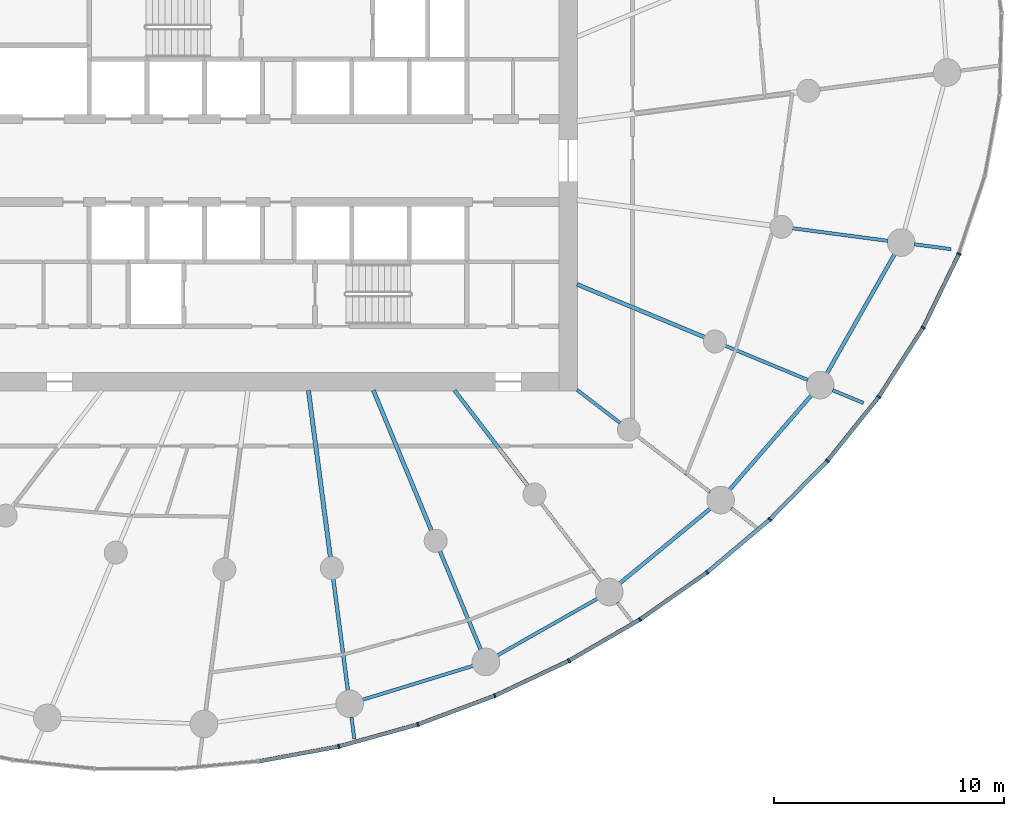
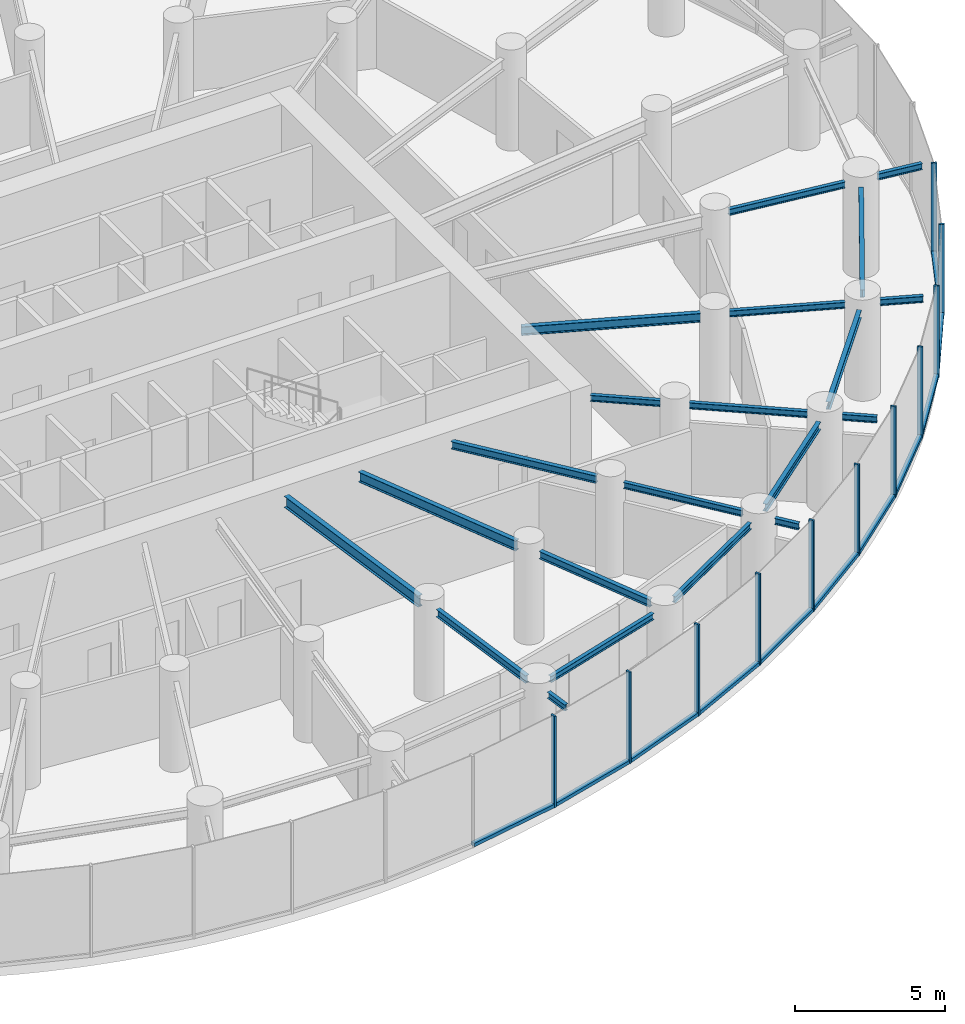
# One storey, part 4 of 17: 22 members, 21 beams, 3 elements without a shape of their own.
"""IFC4 building model written with IfcOpenShell, lengths in metres."""

from ifc_helpers import new_model, si_unit, direction, frame, origin, origin_2d, place, context, subcontext, project, spatial, rectangle, i_section, extrude, source, transform, mapped, material, layer, layer_set, material_profile, profile_set, type_object, element, aggregate, save


model = new_model("IFC4")

# Units and contexts
model_context = context("Model", 3, precision=1e-05, world=origin(), true_north=direction((0.0, 1.0)))
body_context = subcontext(model_context, "Body", "Model", "MODEL_VIEW")
ifc_project = project(units=[si_unit("LENGTHUNIT", "METRE"), si_unit("AREAUNIT", "SQUARE_METRE"), si_unit("VOLUMEUNIT", "CUBIC_METRE"), si_unit("PLANEANGLEUNIT", "RADIAN"), si_unit("MASSUNIT", "GRAM", prefix="KILO")], contexts=[model_context])

# Site, building, storey
site_placement = place(None, origin())
site = spatial("IfcSite", under=ifc_project, at=site_placement, CompositionType="ELEMENT")
building_placement = place(site_placement, origin())
building = spatial("IfcBuilding", under=site, at=building_placement, Name="Spindrift Exchange Tower", CompositionType="ELEMENT")
storey_placement = place(building_placement, frame((0.0, 0.0, 92.10009765625)))
storey = spatial("IfcBuildingStorey", under=building, at=storey_placement, Name="L21", CompositionType="ELEMENT", Elevation=92.10009765625)

# Beams
ifc_material_1 = material(Name="Steel Grade 300", Category="steel")
ifc_material_profile_1 = material_profile(ifc_material_1, i_section(OverallWidth=0.18994140625, OverallDepth=0.45703125, WebThickness=0.009033203125, FlangeThickness=0.014404296875, FilletRadius=0.013916015625, at=origin_2d()), Name="460UB74.6")
ifc_profile_set_1 = profile_set([ifc_material_profile_1], Name="Steel Grade 300")
beam_type_1 = type_object("IfcBeamType", Name="Floor Beam 460UB74.6 Steel Grade 300", PredefinedType="BEAM", material=ifc_profile_set_1)
shared_shape_1 = source(origin(), body_context, "Body", "SweptSolid", [
    extrude(i_section(OverallWidth=0.18994140625, OverallDepth=0.45703125, WebThickness=0.009033203125, FlangeThickness=0.014404296875, FilletRadius=0.013916015625, at=origin_2d()), origin(), (0.0, 0.0, 1.0), 7.3095703125),
])
beam_1_placement = place(storey_placement, frame((53.31396484375, 38.019775390625, 3.471435546875), z_axis=(0.130527087244, -0.991444743541, 0.0), x_axis=(0.991444743541, 0.130527087244, 0.0)))
element("IfcBeam", 1, at=beam_1_placement, inside=storey, type_object=beam_type_1, Name="L21 radial beam R19A", PredefinedType="BEAM", context=body_context, shape_type="MappedRepresentation", body=[
    mapped(shared_shape_1, transform((0.0, 0.0, 0.0), scale=1.0)),
])
ifc_material_profile_2 = material_profile(ifc_material_1, i_section(OverallWidth=0.177978515625, OverallDepth=0.406005859375, WebThickness=0.0078125, FlangeThickness=0.0126953125, FilletRadius=0.013916015625, at=origin_2d()), Name="410UB59.7")
ifc_profile_set_2 = profile_set([ifc_material_profile_2], Name="Steel Grade 300")
beam_type_2 = type_object("IfcBeamType", Name="Floor Beam 410UB59.7 Steel Grade 300", PredefinedType="BEAM", material=ifc_profile_set_2)
shared_shape_2 = source(origin(), body_context, "Body", "SweptSolid", [
    extrude(i_section(OverallWidth=0.177978515625, OverallDepth=0.406005859375, WebThickness=0.0078125, FlangeThickness=0.0126953125, FilletRadius=0.013916015625, at=origin_2d()), origin(), (0.0, 0.0, 1.0), 6.594482421875),
])
beam_2_placement = place(storey_placement, frame((56.134521484375, 38.0185546875, 3.496826171875), z_axis=(0.382692929746, -0.92387559851, 0.0), x_axis=(0.92387559851, 0.382692929746, 0.0)))
element("IfcBeam", 2, at=beam_2_placement, inside=storey, type_object=beam_type_2, Name="L21 radial beam R20A", PredefinedType="BEAM", context=body_context, shape_type="MappedRepresentation", body=[
    mapped(shared_shape_2, transform((0.0, 0.0, 0.0), scale=1.0)),
])
ifc_material_profile_3 = material_profile(ifc_material_1, i_section(OverallWidth=0.1650390625, OverallDepth=0.303955078125, WebThickness=0.006103515625, FlangeThickness=0.01025390625, FilletRadius=0.011474609375, at=origin_2d()), Name="310UB40.4")
ifc_profile_set_3 = profile_set([ifc_material_profile_3], Name="Steel Grade 300")
beam_type_3 = type_object("IfcBeamType", Name="Floor Beam 310UB40.4 Steel Grade 300", PredefinedType="BEAM", material=ifc_profile_set_3)
shared_shape_3 = source(origin(), body_context, "Body", "SweptSolid", [
    extrude(i_section(OverallWidth=0.1650390625, OverallDepth=0.303955078125, WebThickness=0.006103515625, FlangeThickness=0.01025390625, FilletRadius=0.011474609375, at=origin_2d()), origin(), (0.0, 0.0, 1.0), 5.224609375),
])
beam_3_placement = place(storey_placement, frame((59.6611328125, 38.015869140625, 3.5478515625), z_axis=(0.608741499316, -0.793368632485, 0.0), x_axis=(0.793368632485, 0.608741499316, 0.0)))
element("IfcBeam", 3, at=beam_3_placement, inside=storey, type_object=beam_type_3, Name="L21 radial beam R21A", PredefinedType="BEAM", context=body_context, shape_type="MappedRepresentation", body=[
    mapped(shared_shape_3, transform((0.0, 0.0, 0.0), scale=1.0)),
])
ifc_material_profile_4 = material_profile(ifc_material_1, i_section(OverallWidth=0.14599609375, OverallDepth=0.251953125, WebThickness=0.006103515625, FlangeThickness=0.008544921875, FilletRadius=0.011962890625, at=origin_2d()), Name="250UB31.4")
ifc_profile_set_4 = profile_set([ifc_material_profile_4], Name="Steel Grade 300")
beam_type_4 = type_object("IfcBeamType", Name="Floor Beam 250UB31.4 Steel Grade 300", PredefinedType="BEAM", material=ifc_profile_set_4)
shared_shape_4 = source(origin(), body_context, "Body", "SweptSolid", [
    extrude(i_section(OverallWidth=0.14599609375, OverallDepth=0.251953125, WebThickness=0.006103515625, FlangeThickness=0.008544921875, FilletRadius=0.011962890625, at=origin_2d()), origin(), (0.0, 0.0, 1.0), 2.353759765625),
])
beam_4_placement = place(storey_placement, frame((64.984130859375, 38.036865234375, 3.573974609375), z_axis=(0.793367573265, -0.608742879787, 0.0), x_axis=(0.608742879787, 0.793367573265, 0.0)))
element("IfcBeam", 4, at=beam_4_placement, inside=storey, type_object=beam_type_4, Name="L21 radial beam R22A", PredefinedType="BEAM", context=body_context, shape_type="MappedRepresentation", body=[
    mapped(shared_shape_4, transform((0.0, 0.0, 0.0), scale=1.0)),
])
ifc_material_profile_5 = material_profile(ifc_material_1, i_section(OverallWidth=0.172119140625, OverallDepth=0.35888671875, WebThickness=0.008056640625, FlangeThickness=0.012939453125, FilletRadius=0.013916015625, at=origin_2d()), Name="360UB56.7")
ifc_profile_set_5 = profile_set([ifc_material_profile_5], Name="Steel Grade 300")
beam_type_5 = type_object("IfcBeamType", Name="Floor Beam 360UB56.7 Steel Grade 300", PredefinedType="BEAM", material=ifc_profile_set_5)
shared_shape_5 = source(origin(), body_context, "Body", "SweptSolid", [
    extrude(i_section(OverallWidth=0.172119140625, OverallDepth=0.35888671875, WebThickness=0.008056640625, FlangeThickness=0.012939453125, FilletRadius=0.013916015625, at=origin_2d()), origin(), (0.0, 0.0, 1.0), 6.004638671875),
])
beam_5_placement = place(storey_placement, frame((64.9814453125, 42.622802734375, 3.5205078125), z_axis=(0.923882044911, -0.38267736684, 0.0), x_axis=(0.38267736684, 0.923882044911, 0.0)))
element("IfcBeam", 5, at=beam_5_placement, inside=storey, type_object=beam_type_5, Name="L21 radial beam R23A", PredefinedType="BEAM", context=body_context, shape_type="MappedRepresentation", body=[
    mapped(shared_shape_5, transform((0.0, 0.0, 0.0), scale=1.0)),
])
shared_shape_6 = source(origin(), body_context, "Body", "SweptSolid", [
    extrude(i_section(OverallWidth=0.1650390625, OverallDepth=0.303955078125, WebThickness=0.006103515625, FlangeThickness=0.01025390625, FilletRadius=0.011474609375, at=origin_2d()), origin(), (0.0, 0.0, 1.0), 4.883056640625),
])
beam_6_placement = place(storey_placement, frame((54.393310546875, 29.82080078125, 3.5478515625), z_axis=(0.130542457964, -0.991442719812, 0.0), x_axis=(0.991442719812, 0.130542457964, 0.0)))
element("IfcBeam", 6, at=beam_6_placement, inside=storey, type_object=beam_type_3, Name="L21 radial beam R19B", PredefinedType="BEAM", context=body_context, shape_type="MappedRepresentation", body=[
    mapped(shared_shape_6, transform((0.0, 0.0, 0.0), scale=1.0)),
])
shared_shape_7 = source(origin(), body_context, "Body", "SweptSolid", [
    extrude(i_section(OverallWidth=0.1650390625, OverallDepth=0.303955078125, WebThickness=0.006103515625, FlangeThickness=0.01025390625, FilletRadius=0.011474609375, at=origin_2d()), origin(), (0.0, 0.0, 1.0), 4.63671875),
])
beam_7_placement = place(storey_placement, frame((59.025390625, 31.0390625, 3.5478515625), z_axis=(0.382692818086, -0.923875644763, 0.0), x_axis=(0.923875644763, 0.382692818086, 0.0)))
element("IfcBeam", 7, at=beam_7_placement, inside=storey, type_object=beam_type_3, Name="L21 radial beam R20B", PredefinedType="BEAM", context=body_context, shape_type="MappedRepresentation", body=[
    mapped(shared_shape_7, transform((0.0, 0.0, 0.0), scale=1.0)),
])
shared_shape_8 = source(origin(), body_context, "Body", "SweptSolid", [
    extrude(i_section(OverallWidth=0.14599609375, OverallDepth=0.251953125, WebThickness=0.006103515625, FlangeThickness=0.008544921875, FilletRadius=0.011962890625, at=origin_2d()), origin(), (0.0, 0.0, 1.0), 4.27587890625),
])
beam_8_placement = place(storey_placement, frame((63.426025390625, 33.109375, 3.573974609375), z_axis=(0.608725184746, -0.793381150177, 0.0), x_axis=(0.793381150177, 0.608725184746, 0.0)))
element("IfcBeam", 8, at=beam_8_placement, inside=storey, type_object=beam_type_4, Name="L21 radial beam R21B", PredefinedType="BEAM", context=body_context, shape_type="MappedRepresentation", body=[
    mapped(shared_shape_8, transform((0.0, 0.0, 0.0), scale=1.0)),
])
shared_shape_9 = source(origin(), body_context, "Body", "SweptSolid", [
    extrude(i_section(OverallWidth=0.14599609375, OverallDepth=0.251953125, WebThickness=0.006103515625, FlangeThickness=0.008544921875, FilletRadius=0.011962890625, at=origin_2d()), origin(), (0.0, 0.0, 1.0), 3.966064453125),
])
beam_9_placement = place(storey_placement, frame((67.61328125, 36.01953125, 3.573974609375), z_axis=(0.79336256318, -0.608749409318, 0.0), x_axis=(0.608749409318, 0.79336256318, 0.0)))
element("IfcBeam", 9, at=beam_9_placement, inside=storey, type_object=beam_type_4, Name="L21 radial beam R22B", PredefinedType="BEAM", context=body_context, shape_type="MappedRepresentation", body=[
    mapped(shared_shape_9, transform((0.0, 0.0, 0.0), scale=1.0)),
])
shared_shape_10 = source(origin(), body_context, "Body", "SweptSolid", [
    extrude(i_section(OverallWidth=0.14599609375, OverallDepth=0.251953125, WebThickness=0.006103515625, FlangeThickness=0.008544921875, FilletRadius=0.011962890625, at=origin_2d()), origin(), (0.0, 0.0, 1.0), 3.892333984375),
])
beam_10_placement = place(storey_placement, frame((71.416015625, 39.95751953125, 3.573974609375), z_axis=(0.923878458273, -0.382686025794, 0.0), x_axis=(0.382686025794, 0.923878458273, 0.0)))
element("IfcBeam", 10, at=beam_10_placement, inside=storey, type_object=beam_type_4, Name="L21 radial beam R23B", PredefinedType="BEAM", context=body_context, shape_type="MappedRepresentation", body=[
    mapped(shared_shape_10, transform((0.0, 0.0, 0.0), scale=1.0)),
])
shared_shape_11 = source(origin(), body_context, "Body", "SweptSolid", [
    extrude(i_section(OverallWidth=0.14599609375, OverallDepth=0.251953125, WebThickness=0.006103515625, FlangeThickness=0.008544921875, FilletRadius=0.011962890625, at=origin_2d()), origin(), (0.0, 0.0, 1.0), 4.186279296875),
])
beam_11_placement = place(storey_placement, frame((74.339111328125, 45.05908203125, 3.573974609375), z_axis=(0.991445559167, -0.130520891848, 0.0), x_axis=(0.130520891848, 0.991445559167, 0.0)))
element("IfcBeam", 11, at=beam_11_placement, inside=storey, type_object=beam_type_4, Name="L21 radial beam R24B", PredefinedType="BEAM", context=body_context, shape_type="MappedRepresentation", body=[
    mapped(shared_shape_11, transform((0.0, 0.0, 0.0), scale=1.0)),
])
ifc_material_profile_6 = material_profile(ifc_material_1, i_section(OverallWidth=0.14599609375, OverallDepth=0.251953125, WebThickness=0.006103515625, FlangeThickness=0.008544921875, FilletRadius=0.011962890625, at=origin_2d()), Name="250UB31.4")
ifc_profile_set_6 = profile_set([ifc_material_profile_6], Name="Steel Grade 300")
beam_type_6 = type_object("IfcBeamType", Name="Edge Beam 250UB31.4 Steel Grade 300", PredefinedType="SPANDREL", material=ifc_profile_set_6)
shared_shape_12 = source(origin(), body_context, "Body", "SweptSolid", [
    extrude(i_section(OverallWidth=0.14599609375, OverallDepth=0.251953125, WebThickness=0.006103515625, FlangeThickness=0.008544921875, FilletRadius=0.011962890625, at=origin_2d()), origin(), (0.0, 0.0, 1.0), 5.027587890625),
])
beam_12_placement = place(storey_placement, frame((55.660888671875, 24.57470703125, 3.573974609375), z_axis=(0.956018084082, 0.293307727325, 0.0), x_axis=(-0.293307727325, 0.956018084082, 0.0)))
element("IfcBeam", 12, at=beam_12_placement, inside=storey, type_object=beam_type_6, Name="L21 edge beam E19", PredefinedType="SPANDREL", context=body_context, shape_type="MappedRepresentation", body=[
    mapped(shared_shape_12, transform((0.0, 0.0, 0.0), scale=1.0)),
])
shared_shape_13 = source(origin(), body_context, "Body", "SweptSolid", [
    extrude(i_section(OverallWidth=0.14599609375, OverallDepth=0.251953125, WebThickness=0.006103515625, FlangeThickness=0.008544921875, FilletRadius=0.011962890625, at=origin_2d()), origin(), (0.0, 0.0, 1.0), 5.0009765625),
])
beam_13_placement = place(storey_placement, frame((61.5263671875, 26.505615234375, 3.573974609375), z_axis=(0.870045916697, 0.492970691663, 0.0), x_axis=(-0.492970691663, 0.870045916697, 0.0)))
element("IfcBeam", 13, at=beam_13_placement, inside=storey, type_object=beam_type_6, Name="L21 edge beam E20", PredefinedType="SPANDREL", context=body_context, shape_type="MappedRepresentation", body=[
    mapped(shared_shape_13, transform((0.0, 0.0, 0.0), scale=1.0)),
])
ifc_material_profile_7 = material_profile(ifc_material_1, i_section(OverallWidth=0.1650390625, OverallDepth=0.303955078125, WebThickness=0.006103515625, FlangeThickness=0.01025390625, FilletRadius=0.011474609375, at=origin_2d()), Name="310UB40.4")
ifc_profile_set_7 = profile_set([ifc_material_profile_7], Name="Steel Grade 300")
beam_type_7 = type_object("IfcBeamType", Name="Edge Beam 310UB40.4 Steel Grade 300", PredefinedType="SPANDREL", material=ifc_profile_set_7)
shared_shape_14 = source(origin(), body_context, "Body", "SweptSolid", [
    extrude(i_section(OverallWidth=0.1650390625, OverallDepth=0.303955078125, WebThickness=0.006103515625, FlangeThickness=0.01025390625, FilletRadius=0.011474609375, at=origin_2d()), origin(), (0.0, 0.0, 1.0), 5.114501953125),
])
beam_14_placement = place(storey_placement, frame((66.8291015625, 29.626220703125, 3.5478515625), z_axis=(0.771073837992, 0.63674573918, 0.0), x_axis=(-0.63674573918, 0.771073837992, 0.0)))
element("IfcBeam", 14, at=beam_14_placement, inside=storey, type_object=beam_type_7, Name="L21 edge beam E21", PredefinedType="SPANDREL", context=body_context, shape_type="MappedRepresentation", body=[
    mapped(shared_shape_14, transform((0.0, 0.0, 0.0), scale=1.0)),
])
shared_shape_15 = source(origin(), body_context, "Body", "SweptSolid", [
    extrude(i_section(OverallWidth=0.1650390625, OverallDepth=0.303955078125, WebThickness=0.006103515625, FlangeThickness=0.01025390625, FilletRadius=0.011474609375, at=origin_2d()), origin(), (0.0, 0.0, 1.0), 5.448486328125),
])
beam_15_placement = place(storey_placement, frame((71.599609375, 33.6904296875, 3.5478515625), z_axis=(0.654922008827, 0.755696475018, 0.0), x_axis=(-0.755696475018, 0.654922008827, 0.0)))
element("IfcBeam", 15, at=beam_15_placement, inside=storey, type_object=beam_type_7, Name="L21 edge beam E22", PredefinedType="SPANDREL", context=body_context, shape_type="MappedRepresentation", body=[
    mapped(shared_shape_15, transform((0.0, 0.0, 0.0), scale=1.0)),
])
shared_shape_16 = source(origin(), body_context, "Body", "SweptSolid", [
    extrude(i_section(OverallWidth=0.1650390625, OverallDepth=0.303955078125, WebThickness=0.006103515625, FlangeThickness=0.01025390625, FilletRadius=0.011474609375, at=origin_2d()), origin(), (0.0, 0.0, 1.0), 5.9599609375),
])
beam_16_placement = place(storey_placement, frame((75.834228515625, 38.75048828125, 3.5478515625), z_axis=(0.493940434745, 0.869495742901, 0.0), x_axis=(-0.869495742901, 0.493940434745, 0.0)))
element("IfcBeam", 16, at=beam_16_placement, inside=storey, type_object=beam_type_7, Name="L21 edge beam E23", PredefinedType="SPANDREL", context=body_context, shape_type="MappedRepresentation", body=[
    mapped(shared_shape_16, transform((0.0, 0.0, 0.0), scale=1.0)),
])
ifc_material_profile_8 = material_profile(ifc_material_1, i_section(OverallWidth=0.14599609375, OverallDepth=0.251953125, WebThickness=0.006103515625, FlangeThickness=0.008544921875, FilletRadius=0.011962890625, at=origin_2d()), Name="250UB31.4")
ifc_profile_set_8 = profile_set([ifc_material_profile_8], Name="Steel Grade 300")
beam_type_8 = type_object("IfcBeamType", Name="Cantilever Beam 250UB31.4 Steel Grade 300", PredefinedType="BEAM", material=ifc_profile_set_8)
shared_shape_17 = source(origin(), body_context, "Body", "SweptSolid", [
    extrude(i_section(OverallWidth=0.14599609375, OverallDepth=0.251953125, WebThickness=0.006103515625, FlangeThickness=0.008544921875, FilletRadius=0.011962890625, at=origin_2d()), origin(), (0.0, 0.0, 1.0), 0.964111328125),
])
beam_17_placement = place(storey_placement, frame((55.18212890625, 23.82958984375, 3.573974609375), z_axis=(0.130421757725, -0.99145860484, 0.0), x_axis=(0.99145860484, 0.130421757725, 0.0)))
element("IfcBeam", 17, at=beam_17_placement, inside=storey, type_object=beam_type_8, Name="L21 cantilever beam R19T", PredefinedType="BEAM", context=body_context, shape_type="MappedRepresentation", body=[
    mapped(shared_shape_17, transform((0.0, 0.0, 0.0), scale=1.0)),
])
shared_shape_18 = source(origin(), body_context, "Body", "SweptSolid", [
    extrude(i_section(OverallWidth=0.14599609375, OverallDepth=0.251953125, WebThickness=0.006103515625, FlangeThickness=0.008544921875, FilletRadius=0.011962890625, at=origin_2d()), origin(), (0.0, 0.0, 1.0), 0.86669921875),
])
beam_18_placement = place(storey_placement, frame((66.735107421875, 28.796875, 3.573974609375), z_axis=(0.608662126382, -0.793429528004, 0.0), x_axis=(0.793429528004, 0.608662126382, 0.0)))
element("IfcBeam", 18, at=beam_18_placement, inside=storey, type_object=beam_type_8, Name="L21 cantilever beam R21T", PredefinedType="BEAM", context=body_context, shape_type="MappedRepresentation", body=[
    mapped(shared_shape_18, transform((0.0, 0.0, 0.0), scale=1.0)),
])
shared_shape_19 = source(origin(), body_context, "Body", "SweptSolid", [
    extrude(i_section(OverallWidth=0.14599609375, OverallDepth=0.251953125, WebThickness=0.006103515625, FlangeThickness=0.008544921875, FilletRadius=0.011962890625, at=origin_2d()), origin(), (0.0, 0.0, 1.0), 1.17333984375),
])
beam_19_placement = place(storey_placement, frame((71.679931640625, 32.89892578125, 3.573974609375), z_axis=(0.793435521071, -0.608654313961, 0.0), x_axis=(0.608654313961, 0.793435521071, 0.0)))
element("IfcBeam", 19, at=beam_19_placement, inside=storey, type_object=beam_type_8, Name="L21 cantilever beam R22T", PredefinedType="BEAM", context=body_context, shape_type="MappedRepresentation", body=[
    mapped(shared_shape_19, transform((0.0, 0.0, 0.0), scale=1.0)),
])
shared_shape_20 = source(origin(), body_context, "Body", "SweptSolid", [
    extrude(i_section(OverallWidth=0.14599609375, OverallDepth=0.251953125, WebThickness=0.006103515625, FlangeThickness=0.008544921875, FilletRadius=0.011962890625, at=origin_2d()), origin(), (0.0, 0.0, 1.0), 1.451171875),
])
beam_20_placement = place(storey_placement, frame((76.08349609375, 38.024169921875, 3.573974609375), z_axis=(0.923930728821, -0.382559810149, 0.0), x_axis=(0.382559810149, 0.923930728821, 0.0)))
element("IfcBeam", 20, at=beam_20_placement, inside=storey, type_object=beam_type_8, Name="L21 cantilever beam R23T", PredefinedType="BEAM", context=body_context, shape_type="MappedRepresentation", body=[
    mapped(shared_shape_20, transform((0.0, 0.0, 0.0), scale=1.0)),
])
shared_shape_21 = source(origin(), body_context, "Body", "SweptSolid", [
    extrude(i_section(OverallWidth=0.14599609375, OverallDepth=0.251953125, WebThickness=0.006103515625, FlangeThickness=0.008544921875, FilletRadius=0.011962890625, at=origin_2d()), origin(), (0.0, 0.0, 1.0), 1.603271484375),
])
beam_21_placement = place(storey_placement, frame((79.639404296875, 44.361083984375, 3.573974609375), z_axis=(0.991448593434, -0.13049784128, 0.0), x_axis=(0.13049784128, 0.991448593434, 0.0)))
element("IfcBeam", 21, at=beam_21_placement, inside=storey, type_object=beam_type_8, Name="L21 cantilever beam R24T", PredefinedType="BEAM", context=body_context, shape_type="MappedRepresentation", body=[
    mapped(shared_shape_21, transform((0.0, 0.0, 0.0), scale=1.0)),
])

# Curtain wall, members
ifc_material_2 = material(Name="Fritted laminated glass with bronze frame", Category="glass")
ifc_layer = layer(ifc_material_2, 0.18994140625)
ifc_layer_set = layer_set([ifc_layer], Name="ZONE 2 BRONZE FRITTED WALL")
curtain_wall_type = type_object("IfcCurtainWallType", Name="ZONE 2 BRONZE FRITTED WALL", PredefinedType="NOTDEFINED", material=ifc_layer_set)
curtain_wall_1_placement = place(storey_placement, origin())
curtain_wall_1 = element("IfcCurtainWall", 22, at=curtain_wall_1_placement, inside=storey, type_object=curtain_wall_type, Name="L21 Zone 2 Bronze Fritted Wall run 7", PredefinedType="NOTDEFINED")
ifc_material_3 = material(Name="Bronze anodised aluminium", Category="aluminium")
ifc_material_profile_9 = material_profile(ifc_material_3, rectangle(XDim=0.074951171875, YDim=0.18994140625, at=origin_2d()), Name="ZONE 2 BRONZE FRITTED WALL MULLION 75X190")
ifc_profile_set_9 = profile_set([ifc_material_profile_9], Name="Bronze anodised aluminium")
member_type_1 = type_object("IfcMemberType", Name="ZONE 2 BRONZE FRITTED WALL MULLION 75X190", PredefinedType="MULLION", material=ifc_profile_set_9)
shared_shape_22 = source(origin(), body_context, "Body", "SweptSolid", [
    extrude(rectangle(XDim=0.074951171875, YDim=0.18994140625, at=origin_2d()), origin(), (0.0, 0.0, 1.0), 3.699951171875),
])
member_1_placement = place(storey_placement, frame((54.630615234375, 22.547607421875, 0.0), z_axis=(0.0, 0.0, 1.0), x_axis=(0.974164708715, 0.225838704155, 0.0)))
member_1 = element("IfcMember", 23, at=member_1_placement, type_object=member_type_1, Name="L21 mullion CW-2.37", PredefinedType="MULLION", context=body_context, shape_type="MappedRepresentation", body=[
    mapped(shared_shape_22, transform((0.0, 0.0, 0.0), scale=1.0)),
])
member_2_placement = place(storey_placement, frame((58.06640625, 23.504150390625, 0.0), z_axis=(0.0, 0.0, 1.0), x_axis=(0.951043181083, 0.309058032925, 0.0)))
member_2 = element("IfcMember", 24, at=member_2_placement, type_object=member_type_1, Name="L21 mullion CW-2.38", PredefinedType="MULLION", context=body_context, shape_type="MappedRepresentation", body=[
    mapped(shared_shape_22, transform((0.0, 0.0, 0.0), scale=1.0)),
])
member_3_placement = place(storey_placement, frame((61.408447265625, 24.75, 0.0), z_axis=(0.0, 0.0, 1.0), x_axis=(0.921453743518, 0.388488093197, 0.0)))
member_3 = element("IfcMember", 25, at=member_3_placement, type_object=member_type_1, Name="L21 mullion CW-2.39", PredefinedType="MULLION", context=body_context, shape_type="MappedRepresentation", body=[
    mapped(shared_shape_22, transform((0.0, 0.0, 0.0), scale=1.0)),
])
member_4_placement = place(storey_placement, frame((64.6337890625, 26.27294921875, 0.0), z_axis=(0.0, 0.0, 1.0), x_axis=(0.885385980667, 0.464856607179, 0.0)))
member_4 = element("IfcMember", 26, at=member_4_placement, type_object=member_type_1, Name="L21 mullion CW-2.40", PredefinedType="MULLION", context=body_context, shape_type="MappedRepresentation", body=[
    mapped(shared_shape_22, transform((0.0, 0.0, 0.0), scale=1.0)),
])
member_5_placement = place(storey_placement, frame((67.718505859375, 28.06298828125, 0.0), z_axis=(0.0, 0.0, 1.0), x_axis=(0.842489779116, 0.538712327763, 0.0)))
member_5 = element("IfcMember", 27, at=member_5_placement, type_object=member_type_1, Name="L21 mullion CW-2.41", PredefinedType="MULLION", context=body_context, shape_type="MappedRepresentation", body=[
    mapped(shared_shape_22, transform((0.0, 0.0, 0.0), scale=1.0)),
])
member_6_placement = place(storey_placement, frame((70.637939453125, 30.1123046875, 0.0), z_axis=(0.0, 0.0, 1.0), x_axis=(0.792088858635, 0.61040579947, 0.0)))
member_6 = element("IfcMember", 28, at=member_6_placement, type_object=member_type_1, Name="L21 mullion CW-2.42", PredefinedType="MULLION", context=body_context, shape_type="MappedRepresentation", body=[
    mapped(shared_shape_22, transform((0.0, 0.0, 0.0), scale=1.0)),
])

curtain_wall_2_placement = place(storey_placement, origin())
curtain_wall_2 = element("IfcCurtainWall", 29, at=curtain_wall_2_placement, inside=storey, type_object=curtain_wall_type, Name="L21 Zone 2 Bronze Fritted Wall run 8", PredefinedType="NOTDEFINED")
member_7_placement = place(storey_placement, frame((73.363037109375, 32.412841796875, 0.0), z_axis=(0.0, 0.0, 1.0), x_axis=(0.733141234118, 0.680076415438, 0.0)))
member_7 = element("IfcMember", 30, at=member_7_placement, type_object=member_type_1, Name="L21 mullion CW-2.43", PredefinedType="MULLION", context=body_context, shape_type="MappedRepresentation", body=[
    mapped(shared_shape_22, transform((0.0, 0.0, 0.0), scale=1.0)),
])
member_8_placement = place(storey_placement, frame((75.861572265625, 34.957763671875, 0.0), z_axis=(0.0, 0.0, 1.0), x_axis=(0.664243416482, 0.747516343407, 0.0)))
member_8 = element("IfcMember", 31, at=member_8_placement, type_object=member_type_1, Name="L21 mullion CW-2.44", PredefinedType="MULLION", context=body_context, shape_type="MappedRepresentation", body=[
    mapped(shared_shape_22, transform((0.0, 0.0, 0.0), scale=1.0)),
])
member_9_placement = place(storey_placement, frame((78.094970703125, 37.738037109375, 0.0), z_axis=(0.0, 0.0, 1.0), x_axis=(0.583574267601, 0.81205977255, 0.0)))
member_9 = element("IfcMember", 32, at=member_9_placement, type_object=member_type_1, Name="L21 mullion CW-2.45", PredefinedType="MULLION", context=body_context, shape_type="MappedRepresentation", body=[
    mapped(shared_shape_22, transform((0.0, 0.0, 0.0), scale=1.0)),
])
member_10_placement = place(storey_placement, frame((80.017578125, 40.7412109375, 0.0), z_axis=(0.0, 0.0, 1.0), x_axis=(0.488986007973, 0.872291627844, 0.0)))
member_10 = element("IfcMember", 33, at=member_10_placement, type_object=member_type_1, Name="L21 mullion CW-2.46", PredefinedType="MULLION", context=body_context, shape_type="MappedRepresentation", body=[
    mapped(shared_shape_22, transform((0.0, 0.0, 0.0), scale=1.0)),
])
member_11_placement = place(storey_placement, frame((81.576171875, 43.947998046875, 0.0), z_axis=(0.0, 0.0, 1.0), x_axis=(0.378228195148, 0.925712391834, 0.0)))
member_11 = element("IfcMember", 34, at=member_11_placement, type_object=member_type_1, Name="L21 mullion CW-2.47", PredefinedType="MULLION", context=body_context, shape_type="MappedRepresentation", body=[
    mapped(shared_shape_22, transform((0.0, 0.0, 0.0), scale=1.0)),
])
ifc_material_profile_10 = material_profile(ifc_material_3, rectangle(XDim=0.169921875, YDim=0.139892578125, at=origin_2d()), Name="ZONE 2 BRONZE FRITTED WALL TRANSOM 170X140")
ifc_profile_set_10 = profile_set([ifc_material_profile_10], Name="Bronze anodised aluminium")
member_type_2 = type_object("IfcMemberType", Name="ZONE 2 BRONZE FRITTED WALL TRANSOM 170X140", PredefinedType="USERDEFINED", material=ifc_profile_set_10)
shared_shape_23 = source(origin(), body_context, "Body", "SweptSolid", [
    extrude(rectangle(XDim=0.169921875, YDim=0.139892578125, at=origin_2d()), origin(), (0.0, 0.0, 1.0), 3.4912109375),
])
member_12_placement = place(storey_placement, frame((75.885009765625, 34.987060546875, 0.06982421875), z_axis=(0.626297014047, 0.779584536914, 0.0), x_axis=(-0.779584536914, 0.626297014047, 0.0)))
member_12 = element("IfcMember", 35, at=member_12_placement, type_object=member_type_2, Name="L21 transom CW-2.44", ObjectType="TRANSOM", PredefinedType="USERDEFINED", context=body_context, shape_type="MappedRepresentation", body=[
    mapped(shared_shape_23, transform((0.0, 0.0, 0.0), scale=1.0)),
])

# Member
shared_shape_24 = source(origin(), body_context, "Body", "SweptSolid", [
    extrude(rectangle(XDim=0.169921875, YDim=0.139892578125, at=origin_2d()), origin(), (0.0, 0.0, 1.0), 3.49169921875),
])
member_13_placement = place(storey_placement, frame((58.1015625, 23.517333984375, 0.06982421875), z_axis=(0.937002704325, 0.349322103635, 0.0), x_axis=(-0.349322103635, 0.937002704325, 0.0)))
member_13 = element("IfcMember", 36, at=member_13_placement, type_object=member_type_2, Name="L21 transom CW-2.38", ObjectType="TRANSOM", PredefinedType="USERDEFINED", context=body_context, shape_type="MappedRepresentation", body=[
    mapped(shared_shape_24, transform((0.0, 0.0, 0.0), scale=1.0)),
])

member_14_placement = place(storey_placement, frame((61.4423828125, 24.76611328125, 0.06982421875), z_axis=(0.904255395859, 0.426992012875, 0.0), x_axis=(-0.426992012875, 0.904255395859, 0.0)))
member_14 = element("IfcMember", 37, at=member_14_placement, type_object=member_type_2, Name="L21 transom CW-2.39", ObjectType="TRANSOM", PredefinedType="USERDEFINED", context=body_context, shape_type="MappedRepresentation", body=[
    mapped(shared_shape_24, transform((0.0, 0.0, 0.0), scale=1.0)),
])

member_15_placement = place(storey_placement, frame((64.666259765625, 26.291748046875, 0.06982421875), z_axis=(0.864927994493, 0.501895969642, 0.0), x_axis=(-0.501895969642, 0.864927994493, 0.0)))
member_15 = element("IfcMember", 38, at=member_15_placement, type_object=member_type_2, Name="L21 transom CW-2.40", ObjectType="TRANSOM", PredefinedType="USERDEFINED", context=body_context, shape_type="MappedRepresentation", body=[
    mapped(shared_shape_24, transform((0.0, 0.0, 0.0), scale=1.0)),
])

member_16_placement = place(storey_placement, frame((67.749267578125, 28.084716796875, 0.06982421875), z_axis=(0.81851516065, 0.574484927379, 0.0), x_axis=(-0.574484927379, 0.81851516065, 0.0)))
member_16 = element("IfcMember", 39, at=member_16_placement, type_object=member_type_2, Name="L21 transom CW-2.41", ObjectType="TRANSOM", PredefinedType="USERDEFINED", context=body_context, shape_type="MappedRepresentation", body=[
    mapped(shared_shape_24, transform((0.0, 0.0, 0.0), scale=1.0)),
])

shared_shape_25 = source(origin(), body_context, "Body", "SweptSolid", [
    extrude(rectangle(XDim=0.169921875, YDim=0.139892578125, at=origin_2d()), origin(), (0.0, 0.0, 1.0), 3.490478515625),
])
member_17_placement = place(storey_placement, frame((80.0341796875, 40.77490234375, 0.06982421875), z_axis=(0.437085052703, 0.899420178061, 0.0), x_axis=(-0.899420178061, 0.437085052703, 0.0)))
member_17 = element("IfcMember", 40, at=member_17_placement, type_object=member_type_2, Name="L21 transom CW-2.46", ObjectType="TRANSOM", PredefinedType="USERDEFINED", context=body_context, shape_type="MappedRepresentation", body=[
    mapped(shared_shape_25, transform((0.0, 0.0, 0.0), scale=1.0)),
])

# Curtain wall, member
curtain_wall_3_placement = place(storey_placement, origin())
curtain_wall_3 = element("IfcCurtainWall", 41, at=curtain_wall_3_placement, inside=storey, type_object=curtain_wall_type, Name="L21 Zone 2 Bronze Fritted Wall run 6", PredefinedType="NOTDEFINED")
shared_shape_26 = source(origin(), body_context, "Body", "SweptSolid", [
    extrude(rectangle(XDim=0.169921875, YDim=0.139892578125, at=origin_2d()), origin(), (0.0, 0.0, 1.0), 3.491455078125),
])
member_18_placement = place(storey_placement, frame((51.1611328125, 21.901611328125, 0.06982421875), z_axis=(0.983115133242, 0.182988072809, 0.0), x_axis=(-0.182988072809, 0.983115133242, 0.0)))
member_18 = element("IfcMember", 42, at=member_18_placement, type_object=member_type_2, Name="L21 transom CW-2.36", ObjectType="TRANSOM", PredefinedType="USERDEFINED", context=body_context, shape_type="MappedRepresentation", body=[
    mapped(shared_shape_26, transform((0.0, 0.0, 0.0), scale=1.0)),
])
aggregate(curtain_wall_3, [member_18])

# Member
member_19_placement = place(storey_placement, frame((54.666748046875, 22.5576171875, 0.06982421875), z_axis=(0.963354438786, 0.268231663438, 0.0), x_axis=(-0.268231663438, 0.963354438786, 0.0)))
member_19 = element("IfcMember", 43, at=member_19_placement, type_object=member_type_2, Name="L21 transom CW-2.37", ObjectType="TRANSOM", PredefinedType="USERDEFINED", context=body_context, shape_type="MappedRepresentation", body=[
    mapped(shared_shape_26, transform((0.0, 0.0, 0.0), scale=1.0)),
])

member_20_placement = place(storey_placement, frame((70.66650390625, 30.136474609375, 0.06982421875), z_axis=(0.764136374716, 0.645054727009, 0.0), x_axis=(-0.645054727009, 0.764136374716, 0.0)))
member_20 = element("IfcMember", 44, at=member_20_placement, type_object=member_type_2, Name="L21 transom CW-2.42", ObjectType="TRANSOM", PredefinedType="USERDEFINED", context=body_context, shape_type="MappedRepresentation", body=[
    mapped(shared_shape_26, transform((0.0, 0.0, 0.0), scale=1.0)),
])

aggregate(curtain_wall_1, [member_1, member_19, member_2, member_13, member_3, member_14, member_4, member_15, member_5, member_16, member_6, member_20])

member_21_placement = place(storey_placement, frame((73.389404296875, 32.439697265625, 0.06982421875), z_axis=(0.700573896308, 0.713579859449, 0.0), x_axis=(-0.713579859449, 0.700573896308, 0.0)))
member_21 = element("IfcMember", 45, at=member_21_placement, type_object=member_type_2, Name="L21 transom CW-2.43", ObjectType="TRANSOM", PredefinedType="USERDEFINED", context=body_context, shape_type="MappedRepresentation", body=[
    mapped(shared_shape_26, transform((0.0, 0.0, 0.0), scale=1.0)),
])

shared_shape_27 = source(origin(), body_context, "Body", "SweptSolid", [
    extrude(rectangle(XDim=0.169921875, YDim=0.139892578125, at=origin_2d()), origin(), (0.0, 0.0, 1.0), 3.490966796875),
])
member_22_placement = place(storey_placement, frame((78.115234375, 37.76953125, 0.06982421875), z_axis=(0.539208483786, 0.842172316699, 0.0), x_axis=(-0.842172316699, 0.539208483786, 0.0)))
member_22 = element("IfcMember", 46, at=member_22_placement, type_object=member_type_2, Name="L21 transom CW-2.45", ObjectType="TRANSOM", PredefinedType="USERDEFINED", context=body_context, shape_type="MappedRepresentation", body=[
    mapped(shared_shape_27, transform((0.0, 0.0, 0.0), scale=1.0)),
])

aggregate(curtain_wall_2, [member_7, member_21, member_8, member_12, member_9, member_22, member_10, member_17, member_11])

save(model, "model.ifc")
